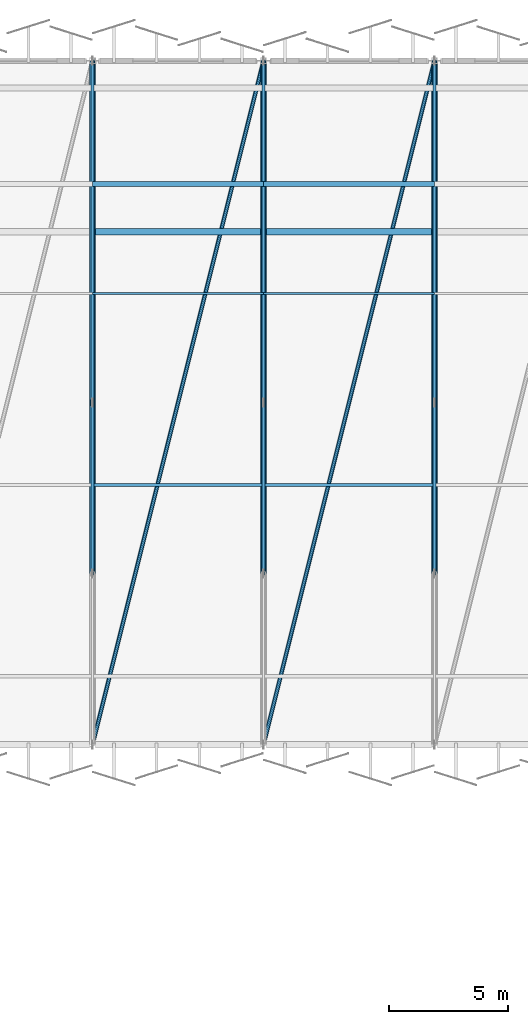
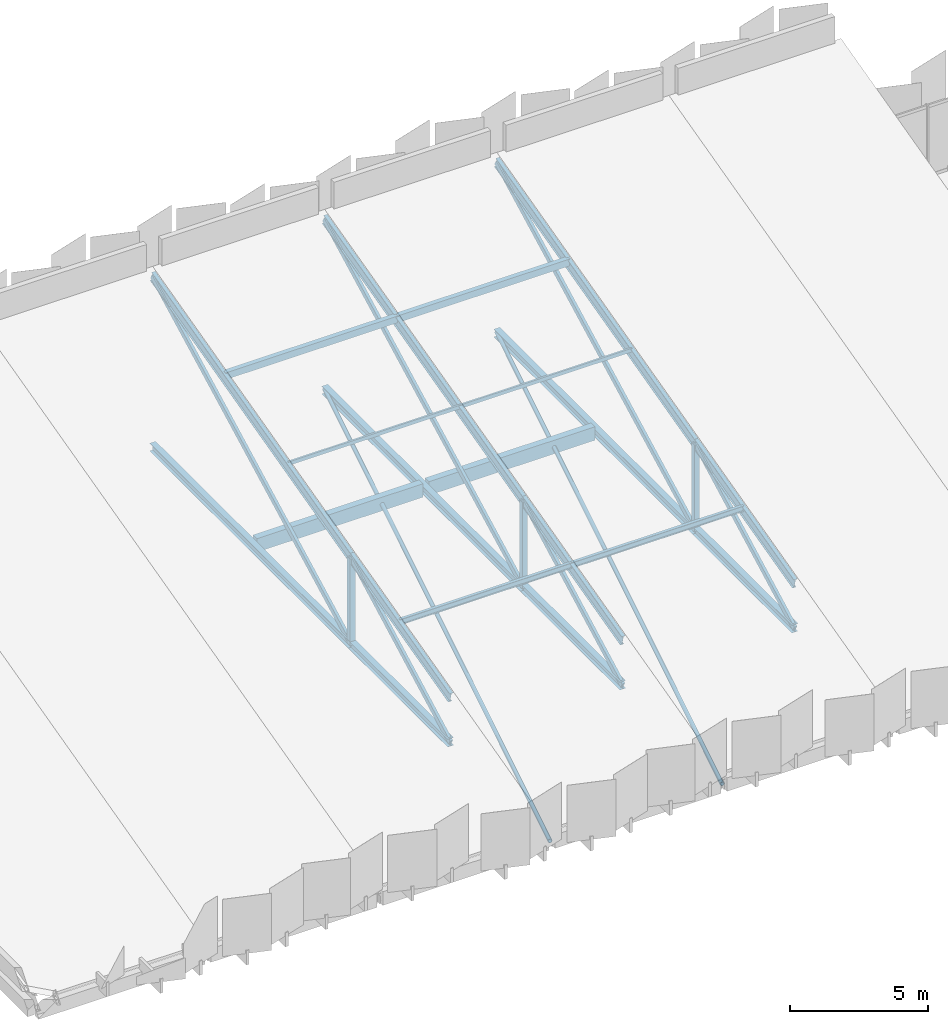
# One storey, part 33 of 108: 29 members, 2 beams.
"""IFC4 building model written with IfcOpenShell, lengths in metres."""

from ifc_helpers import new_model, si_unit, direction, frame, origin, origin_2d, place, context, subcontext, project, spatial, rectangle, hollow_rectangle, hollow_circle, i_section, extrude, material, material_profile, profile_set, type_object, element, save


model = new_model("IFC4")

# Units and contexts
model_context = context("Model", 3, precision=1e-05, world=origin(), true_north=direction((0.0, 1.0)))
body_context = subcontext(model_context, "Body", "Model", "MODEL_VIEW")
ifc_project = project(units=[si_unit("LENGTHUNIT", "METRE"), si_unit("AREAUNIT", "SQUARE_METRE"), si_unit("VOLUMEUNIT", "CUBIC_METRE"), si_unit("PLANEANGLEUNIT", "RADIAN"), si_unit("MASSUNIT", "GRAM", prefix="KILO")], contexts=[model_context])

# Site, building, storey
site_placement = place(None, origin())
site = spatial("IfcSite", under=ifc_project, at=site_placement, CompositionType="ELEMENT")
building_placement = place(site_placement, origin())
building = spatial("IfcBuilding", under=site, at=building_placement, Name="Kangsadwip Square Police Headquarters", CompositionType="ELEMENT")
storey_placement = place(building_placement, frame((0.0, 0.0, 9.449951171875)))
storey = spatial("IfcBuildingStorey", under=building, at=storey_placement, Name="L02", CompositionType="ELEMENT", Elevation=9.449951171875)

# Beams
ifc_material_1 = material(Name="Concrete M40 (40 MPa)", Category="concrete")
ifc_material_profile_1 = material_profile(ifc_material_1, rectangle(XDim=0.280029296875, YDim=0.60009765625, at=origin_2d()), Name="RC SPN 600X280")
ifc_profile_set_1 = profile_set([ifc_material_profile_1], Name="Concrete M40 (40 MPa)")
beam_type = type_object("IfcBeamType", Name="RcSpandrel600x280", PredefinedType="SPANDREL", material=ifc_profile_set_1)
for number, where, z_axis, x_axis, name in (
    (1, (64.925048828125, 108.0, -0.5400390625), (1.0, 0.0, 0.0), (0.0, 1.0, 0.0), "Beam BM-L02-X-09-15"),
    (2, (72.125, 108.0, -0.5400390625), (1.0, 0.0, 0.0), (0.0, 1.0, 0.0), "Beam BM-L02-X-10-15"),
):
    element("IfcBeam", number, at=place(storey_placement, frame(where, z_axis=z_axis, x_axis=x_axis)), inside=storey, type_object=beam_type, Name=name, PredefinedType="SPANDREL", context=body_context, shape_type="SweptSolid", body=[
        extrude(rectangle(XDim=0.280029296875, YDim=0.60009765625, at=origin_2d()), origin(), (0.0, 0.0, 1.0), 6.949951171875),
    ])

# Members
ifc_material_2 = material(Name="Structural steel IS 2062 E350 (Grade 350, 350 MPa)", Category="steel")
ifc_material_profile_2 = material_profile(ifc_material_2, i_section(OverallWidth=0.125, OverallDepth=0.25, WebThickness=0.0068359375, FlangeThickness=0.012451171875, at=origin_2d()), Name="ISMB 250")
ifc_profile_set_2 = profile_set([ifc_material_profile_2], Name="Structural steel IS 2062 E350 (Grade 350, 350 MPa)")
member_type_1 = type_object("IfcMemberType", Name="RoofPurlinIsmb250", PredefinedType="PURLIN", material=ifc_profile_set_2)
for number, where, z_axis, x_axis, name in (
    (3, (64.800048828125, 97.343994140625, 2.507080078125), (1.0, 0.0, 0.0), (0.0, 1.0, 0.0), "Truss Member MEM-L02-0097"),
    (4, (72.0, 97.343994140625, 2.507080078125), (1.0, 0.0, 0.0), (0.0, 1.0, 0.0), "Truss Member MEM-L02-0103"),
):
    element("IfcMember", number, at=place(storey_placement, frame(where, z_axis=z_axis, x_axis=x_axis)), inside=storey, type_object=member_type_1, Name=name, PredefinedType="PURLIN", context=body_context, shape_type="SweptSolid", body=[
        extrude(i_section(OverallWidth=0.125, OverallDepth=0.25, WebThickness=0.0068359375, FlangeThickness=0.012451171875, at=origin_2d()), origin(), (0.0, 0.0, 1.0), 7.199951171875),
    ])
ifc_material_3 = material(Name="Structural steel IS 2062 E350 (Grade 350, 350 MPa)", Category="steel")
ifc_material_profile_3 = material_profile(ifc_material_3, hollow_rectangle(XDim=0.080078125, YDim=0.159912109375, WallThickness=0.006103515625, at=origin_2d()), Name="RHS 160X80X6")
ifc_profile_set_3 = profile_set([ifc_material_profile_3], Name="Structural steel IS 2062 E350 (Grade 350, 350 MPa)")
member_type_2 = type_object("IfcMemberType", Name="RoofPurlinRhs160", PredefinedType="PURLIN", material=ifc_profile_set_3)
for number, where, z_axis, x_axis, name in (
    (5, (64.800048828125, 105.407958984375, 4.6240234375), (1.0, 0.0, 0.0), (0.0, 1.0, 0.0), "Truss Member MEM-L02-0098"),
    (6, (72.0, 105.407958984375, 4.6240234375), (1.0, 0.0, 0.0), (0.0, 1.0, 0.0), "Truss Member MEM-L02-0104"),
):
    element("IfcMember", number, at=place(storey_placement, frame(where, z_axis=z_axis, x_axis=x_axis)), inside=storey, type_object=member_type_2, Name=name, PredefinedType="PURLIN", context=body_context, shape_type="SweptSolid", body=[
        extrude(hollow_rectangle(XDim=0.080078125, YDim=0.159912109375, WallThickness=0.006103515625, at=origin_2d()), origin(), (0.0, 0.0, 1.0), 7.199951171875),
    ])
ifc_material_4 = material(Name="Structural steel IS 2062 E350 (Grade 350, 350 MPa)", Category="steel")
ifc_material_profile_4 = material_profile(ifc_material_4, hollow_rectangle(XDim=0.199951171875, YDim=0.300048828125, WallThickness=0.011962890625, at=origin_2d()), Name="RHS 300X200X12")
ifc_profile_set_4 = profile_set([ifc_material_profile_4], Name="Structural steel IS 2062 E350 (Grade 350, 350 MPa)")
member_type_3 = type_object("IfcMemberType", Name="RoofPurlinRhs300", PredefinedType="PURLIN", material=ifc_profile_set_4)
for number, where, z_axis, x_axis, name in (
    (7, (64.800048828125, 110.01611328125, 5.738037109375), (1.0, 0.0, 0.0), (0.0, 1.0, 0.0), "Truss Member MEM-L02-0099"),
    (8, (72.0, 110.01611328125, 5.738037109375), (1.0, 0.0, 0.0), (0.0, 1.0, 0.0), "Truss Member MEM-L02-0105"),
):
    element("IfcMember", number, at=place(storey_placement, frame(where, z_axis=z_axis, x_axis=x_axis)), inside=storey, type_object=member_type_3, Name=name, PredefinedType="PURLIN", context=body_context, shape_type="SweptSolid", body=[
        extrude(hollow_rectangle(XDim=0.199951171875, YDim=0.300048828125, WallThickness=0.011962890625, at=origin_2d()), origin(), (0.0, 0.0, 1.0), 7.199951171875),
    ])
ifc_material_5 = material(Name="Structural steel IS 2062 E350 (Grade 350, 350 MPa)", Category="steel")
ifc_material_profile_5 = material_profile(ifc_material_5, hollow_circle(Radius=0.083984375, WallThickness=0.008056640625, at=origin_2d()), Name="CHS 168X8")
ifc_profile_set_5 = profile_set([ifc_material_profile_5], Name="Structural steel IS 2062 E350 (Grade 350, 350 MPa)")
member_type_4 = type_object("IfcMemberType", Name="RoofWindBraceChs168", PredefinedType="BRACE", material=ifc_profile_set_5)
for number, where, z_axis, x_axis, name in (
    (9, (64.800048828125, 86.39990234375, -0.550048828125), (0.242533689979, 0.970142983908, 0.0), (-0.970142983908, 0.242533689979, 0.0), "Truss Member MEM-L02-0101"),
    (10, (72.0, 86.39990234375, -0.550048828125), (0.242533689979, 0.970142983908, 0.0), (-0.970142983908, 0.242533689979, 0.0), "Truss Member MEM-L02-0107"),
):
    element("IfcMember", number, at=place(storey_placement, frame(where, z_axis=z_axis, x_axis=x_axis)), inside=storey, type_object=member_type_4, Name=name, PredefinedType="BRACE", context=body_context, shape_type="SweptSolid", body=[
        extrude(hollow_circle(Radius=0.083984375, WallThickness=0.008056640625, at=origin_2d()), origin(), (0.0, 0.0, 1.0), 29.686279296875),
    ])
ifc_material_6 = material(Name="Structural steel IS 2062 E350 (Grade 350, 350 MPa)", Category="steel")
ifc_material_profile_6 = material_profile(ifc_material_6, i_section(OverallWidth=0.14990234375, OverallDepth=0.449951171875, WebThickness=0.009521484375, FlangeThickness=0.017333984375, at=origin_2d()), Name="ISMB 450")
ifc_profile_set_6 = profile_set([ifc_material_profile_6], Name="Structural steel IS 2062 E350 (Grade 350, 350 MPa)")
member_type_5 = type_object("IfcMemberType", Name="SawtoothRafterIsmb450", PredefinedType="RAFTER", material=ifc_profile_set_6)
member_1_placement = place(storey_placement, frame((64.800048828125, 93.60009765625, 1.429931640625), z_axis=(0.0, 0.96853569304, 0.248874689968), x_axis=(-1.0, 0.0, 0.0)))
element("IfcMember", 11, at=member_1_placement, inside=storey, type_object=member_type_5, Name="Truss Member MEM-L02-0032", PredefinedType="RAFTER", context=body_context, shape_type="SweptSolid", body=[
    extrude(i_section(OverallWidth=0.14990234375, OverallDepth=0.449951171875, WebThickness=0.009521484375, FlangeThickness=0.017333984375, at=origin_2d()), origin(), (0.0, 0.0, 1.0), 7.433837890625),
])
member_2_placement = place(storey_placement, frame((64.800048828125, 100.800048828125, 3.280029296875), z_axis=(0.0, 0.968539651086, 0.248859286091), x_axis=(-1.0, 0.0, 0.0)))
element("IfcMember", 12, at=member_2_placement, inside=storey, type_object=member_type_5, Name="Truss Member MEM-L02-0033", PredefinedType="RAFTER", context=body_context, shape_type="SweptSolid", body=[
    extrude(i_section(OverallWidth=0.14990234375, OverallDepth=0.449951171875, WebThickness=0.009521484375, FlangeThickness=0.017333984375, at=origin_2d()), origin(), (0.0, 0.0, 1.0), 14.86767578125),
])
member_3_placement = place(storey_placement, frame((72.0, 93.60009765625, 1.429931640625), z_axis=(0.0, 0.96853569304, 0.248874689968), x_axis=(-1.0, 0.0, 0.0)))
element("IfcMember", 13, at=member_3_placement, inside=storey, type_object=member_type_5, Name="Truss Member MEM-L02-0044", PredefinedType="RAFTER", context=body_context, shape_type="SweptSolid", body=[
    extrude(i_section(OverallWidth=0.14990234375, OverallDepth=0.449951171875, WebThickness=0.009521484375, FlangeThickness=0.017333984375, at=origin_2d()), origin(), (0.0, 0.0, 1.0), 7.433837890625),
])
member_4_placement = place(storey_placement, frame((72.0, 100.800048828125, 3.280029296875), z_axis=(0.0, 0.968539651086, 0.248859286091), x_axis=(-1.0, 0.0, 0.0)))
element("IfcMember", 14, at=member_4_placement, inside=storey, type_object=member_type_5, Name="Truss Member MEM-L02-0045", PredefinedType="RAFTER", context=body_context, shape_type="SweptSolid", body=[
    extrude(i_section(OverallWidth=0.14990234375, OverallDepth=0.449951171875, WebThickness=0.009521484375, FlangeThickness=0.017333984375, at=origin_2d()), origin(), (0.0, 0.0, 1.0), 14.86767578125),
])
member_5_placement = place(storey_placement, frame((79.199951171875, 93.60009765625, 1.429931640625), z_axis=(0.0, 0.96853569304, 0.248874689968), x_axis=(-1.0, 0.0, 0.0)))
element("IfcMember", 15, at=member_5_placement, inside=storey, type_object=member_type_5, Name="Truss Member MEM-L02-0056", PredefinedType="RAFTER", context=body_context, shape_type="SweptSolid", body=[
    extrude(i_section(OverallWidth=0.14990234375, OverallDepth=0.449951171875, WebThickness=0.009521484375, FlangeThickness=0.017333984375, at=origin_2d()), origin(), (0.0, 0.0, 1.0), 7.433837890625),
])
member_6_placement = place(storey_placement, frame((79.199951171875, 100.800048828125, 3.280029296875), z_axis=(0.0, 0.968539651086, 0.248859286091), x_axis=(-1.0, 0.0, 0.0)))
element("IfcMember", 16, at=member_6_placement, inside=storey, type_object=member_type_5, Name="Truss Member MEM-L02-0057", PredefinedType="RAFTER", context=body_context, shape_type="SweptSolid", body=[
    extrude(i_section(OverallWidth=0.14990234375, OverallDepth=0.449951171875, WebThickness=0.009521484375, FlangeThickness=0.017333984375, at=origin_2d()), origin(), (0.0, 0.0, 1.0), 14.86767578125),
])
ifc_material_7 = material(Name="Structural steel IS 2062 E350 (Grade 350, 350 MPa)", Category="steel")
ifc_material_profile_7 = material_profile(ifc_material_7, i_section(OverallWidth=0.25, OverallDepth=0.35009765625, WebThickness=0.010009765625, FlangeThickness=0.01171875, at=origin_2d()), Name="ISHB 350")
ifc_profile_set_7 = profile_set([ifc_material_profile_7], Name="Structural steel IS 2062 E350 (Grade 350, 350 MPa)")
member_type_6 = type_object("IfcMemberType", Name="TrussBotChordIshb350", PredefinedType="CHORD", material=ifc_profile_set_7)
member_7_placement = place(storey_placement, frame((64.800048828125, 93.60009765625, -0.550048828125), z_axis=(0.0, 1.0, 0.0), x_axis=(-1.0, 0.0, 0.0)))
element("IfcMember", 17, at=member_7_placement, inside=storey, type_object=member_type_6, Name="Truss Member MEM-L02-0029", PredefinedType="CHORD", context=body_context, shape_type="SweptSolid", body=[
    extrude(i_section(OverallWidth=0.25, OverallDepth=0.35009765625, WebThickness=0.010009765625, FlangeThickness=0.01171875, at=origin_2d()), origin(), (0.0, 0.0, 1.0), 7.199951171875),
])
member_8_placement = place(storey_placement, frame((64.800048828125, 100.800048828125, -0.550048828125), z_axis=(0.0, 1.0, 0.0), x_axis=(-1.0, 0.0, 0.0)))
element("IfcMember", 18, at=member_8_placement, inside=storey, type_object=member_type_6, Name="Truss Member MEM-L02-0030", PredefinedType="CHORD", context=body_context, shape_type="SweptSolid", body=[
    extrude(i_section(OverallWidth=0.25, OverallDepth=0.35009765625, WebThickness=0.010009765625, FlangeThickness=0.01171875, at=origin_2d()), origin(), (0.0, 0.0, 1.0), 14.39990234375),
])
member_9_placement = place(storey_placement, frame((72.0, 93.60009765625, -0.550048828125), z_axis=(0.0, 1.0, 0.0), x_axis=(-1.0, 0.0, 0.0)))
element("IfcMember", 19, at=member_9_placement, inside=storey, type_object=member_type_6, Name="Truss Member MEM-L02-0041", PredefinedType="CHORD", context=body_context, shape_type="SweptSolid", body=[
    extrude(i_section(OverallWidth=0.25, OverallDepth=0.35009765625, WebThickness=0.010009765625, FlangeThickness=0.01171875, at=origin_2d()), origin(), (0.0, 0.0, 1.0), 7.199951171875),
])
member_10_placement = place(storey_placement, frame((72.0, 100.800048828125, -0.550048828125), z_axis=(0.0, 1.0, 0.0), x_axis=(-1.0, 0.0, 0.0)))
element("IfcMember", 20, at=member_10_placement, inside=storey, type_object=member_type_6, Name="Truss Member MEM-L02-0042", PredefinedType="CHORD", context=body_context, shape_type="SweptSolid", body=[
    extrude(i_section(OverallWidth=0.25, OverallDepth=0.35009765625, WebThickness=0.010009765625, FlangeThickness=0.01171875, at=origin_2d()), origin(), (0.0, 0.0, 1.0), 14.39990234375),
])
member_11_placement = place(storey_placement, frame((79.199951171875, 93.60009765625, -0.550048828125), z_axis=(0.0, 1.0, 0.0), x_axis=(-1.0, 0.0, 0.0)))
element("IfcMember", 21, at=member_11_placement, inside=storey, type_object=member_type_6, Name="Truss Member MEM-L02-0053", PredefinedType="CHORD", context=body_context, shape_type="SweptSolid", body=[
    extrude(i_section(OverallWidth=0.25, OverallDepth=0.35009765625, WebThickness=0.010009765625, FlangeThickness=0.01171875, at=origin_2d()), origin(), (0.0, 0.0, 1.0), 7.199951171875),
])
member_12_placement = place(storey_placement, frame((79.199951171875, 100.800048828125, -0.550048828125), z_axis=(0.0, 1.0, 0.0), x_axis=(-1.0, 0.0, 0.0)))
element("IfcMember", 22, at=member_12_placement, inside=storey, type_object=member_type_6, Name="Truss Member MEM-L02-0054", PredefinedType="CHORD", context=body_context, shape_type="SweptSolid", body=[
    extrude(i_section(OverallWidth=0.25, OverallDepth=0.35009765625, WebThickness=0.010009765625, FlangeThickness=0.01171875, at=origin_2d()), origin(), (0.0, 0.0, 1.0), 14.39990234375),
])
ifc_material_8 = material(Name="Structural steel IS 2062 E350 (Grade 350, 350 MPa)", Category="steel")
ifc_material_profile_8 = material_profile(ifc_material_8, hollow_rectangle(XDim=0.1201171875, YDim=0.239990234375, WallThickness=0.008056640625, at=origin_2d()), Name="RHS 240X120X8")
ifc_profile_set_8 = profile_set([ifc_material_profile_8], Name="Structural steel IS 2062 E350 (Grade 350, 350 MPa)")
member_type_7 = type_object("IfcMemberType", Name="TrussBraceRhs240", PredefinedType="BRACE", material=ifc_profile_set_8)
member_13_placement = place(storey_placement, frame((64.800048828125, 93.60009765625, -0.550048828125), z_axis=(0.0, 0.882856279608, 0.469643257756), x_axis=(-1.0, 0.0, 0.0)))
element("IfcMember", 23, at=member_13_placement, inside=storey, type_object=member_type_7, Name="Truss Member MEM-L02-0038", PredefinedType="BRACE", context=body_context, shape_type="SweptSolid", body=[
    extrude(hollow_rectangle(XDim=0.1201171875, YDim=0.239990234375, WallThickness=0.008056640625, at=origin_2d()), origin(), (0.0, 0.0, 1.0), 8.1552734375),
])
member_14_placement = place(storey_placement, frame((64.800048828125, 100.800048828125, -0.550048828125), z_axis=(0.0, 0.886154500074, 0.46338990278), x_axis=(-1.0, 0.0, 0.0)))
element("IfcMember", 24, at=member_14_placement, inside=storey, type_object=member_type_7, Name="Truss Member MEM-L02-0039", PredefinedType="BRACE", context=body_context, shape_type="SweptSolid", body=[
    extrude(hollow_rectangle(XDim=0.1201171875, YDim=0.239990234375, WallThickness=0.008056640625, at=origin_2d()), origin(), (0.0, 0.0, 1.0), 16.249755859375),
])
member_15_placement = place(storey_placement, frame((72.0, 93.60009765625, -0.550048828125), z_axis=(0.0, 0.882856279608, 0.469643257756), x_axis=(-1.0, 0.0, 0.0)))
element("IfcMember", 25, at=member_15_placement, inside=storey, type_object=member_type_7, Name="Truss Member MEM-L02-0050", PredefinedType="BRACE", context=body_context, shape_type="SweptSolid", body=[
    extrude(hollow_rectangle(XDim=0.1201171875, YDim=0.239990234375, WallThickness=0.008056640625, at=origin_2d()), origin(), (0.0, 0.0, 1.0), 8.1552734375),
])
member_16_placement = place(storey_placement, frame((72.0, 100.800048828125, -0.550048828125), z_axis=(0.0, 0.886154500074, 0.46338990278), x_axis=(-1.0, 0.0, 0.0)))
element("IfcMember", 26, at=member_16_placement, inside=storey, type_object=member_type_7, Name="Truss Member MEM-L02-0051", PredefinedType="BRACE", context=body_context, shape_type="SweptSolid", body=[
    extrude(hollow_rectangle(XDim=0.1201171875, YDim=0.239990234375, WallThickness=0.008056640625, at=origin_2d()), origin(), (0.0, 0.0, 1.0), 16.249755859375),
])
member_17_placement = place(storey_placement, frame((79.199951171875, 93.60009765625, -0.550048828125), z_axis=(0.0, 0.882856279608, 0.469643257756), x_axis=(-1.0, 0.0, 0.0)))
element("IfcMember", 27, at=member_17_placement, inside=storey, type_object=member_type_7, Name="Truss Member MEM-L02-0062", PredefinedType="BRACE", context=body_context, shape_type="SweptSolid", body=[
    extrude(hollow_rectangle(XDim=0.1201171875, YDim=0.239990234375, WallThickness=0.008056640625, at=origin_2d()), origin(), (0.0, 0.0, 1.0), 8.1552734375),
])
member_18_placement = place(storey_placement, frame((79.199951171875, 100.800048828125, -0.550048828125), z_axis=(0.0, 0.886154500074, 0.46338990278), x_axis=(-1.0, 0.0, 0.0)))
element("IfcMember", 28, at=member_18_placement, inside=storey, type_object=member_type_7, Name="Truss Member MEM-L02-0063", PredefinedType="BRACE", context=body_context, shape_type="SweptSolid", body=[
    extrude(hollow_rectangle(XDim=0.1201171875, YDim=0.239990234375, WallThickness=0.008056640625, at=origin_2d()), origin(), (0.0, 0.0, 1.0), 16.249755859375),
])
ifc_material_9 = material(Name="Structural steel IS 2062 E350 (Grade 350, 350 MPa)", Category="steel")
ifc_material_profile_9 = material_profile(ifc_material_9, hollow_rectangle(XDim=0.219970703125, YDim=0.219970703125, WallThickness=0.010009765625, at=origin_2d()), Name="SHS 220X220X10")
ifc_profile_set_9 = profile_set([ifc_material_profile_9], Name="Structural steel IS 2062 E350 (Grade 350, 350 MPa)")
member_type_8 = type_object("IfcMemberType", Name="TrussPostShs220", PredefinedType="POST", material=ifc_profile_set_9)
for number, where, z_axis, x_axis, name in (
    (29, (64.800048828125, 100.800048828125, -0.550048828125), (0.0, 0.0, 1.0), (1.0, 0.0, 0.0), "Truss Member MEM-L02-0035"),
    (30, (72.0, 100.800048828125, -0.550048828125), (0.0, 0.0, 1.0), (1.0, 0.0, 0.0), "Truss Member MEM-L02-0047"),
    (31, (79.199951171875, 100.800048828125, -0.550048828125), (0.0, 0.0, 1.0), (1.0, 0.0, 0.0), "Truss Member MEM-L02-0059"),
):
    element("IfcMember", number, at=place(storey_placement, frame(where, z_axis=z_axis, x_axis=x_axis)), inside=storey, type_object=member_type_8, Name=name, PredefinedType="POST", context=body_context, shape_type="SweptSolid", body=[
        extrude(hollow_rectangle(XDim=0.219970703125, YDim=0.219970703125, WallThickness=0.010009765625, at=origin_2d()), origin(), (0.0, 0.0, 1.0), 3.830078125),
    ])

save(model, "model.ifc")
